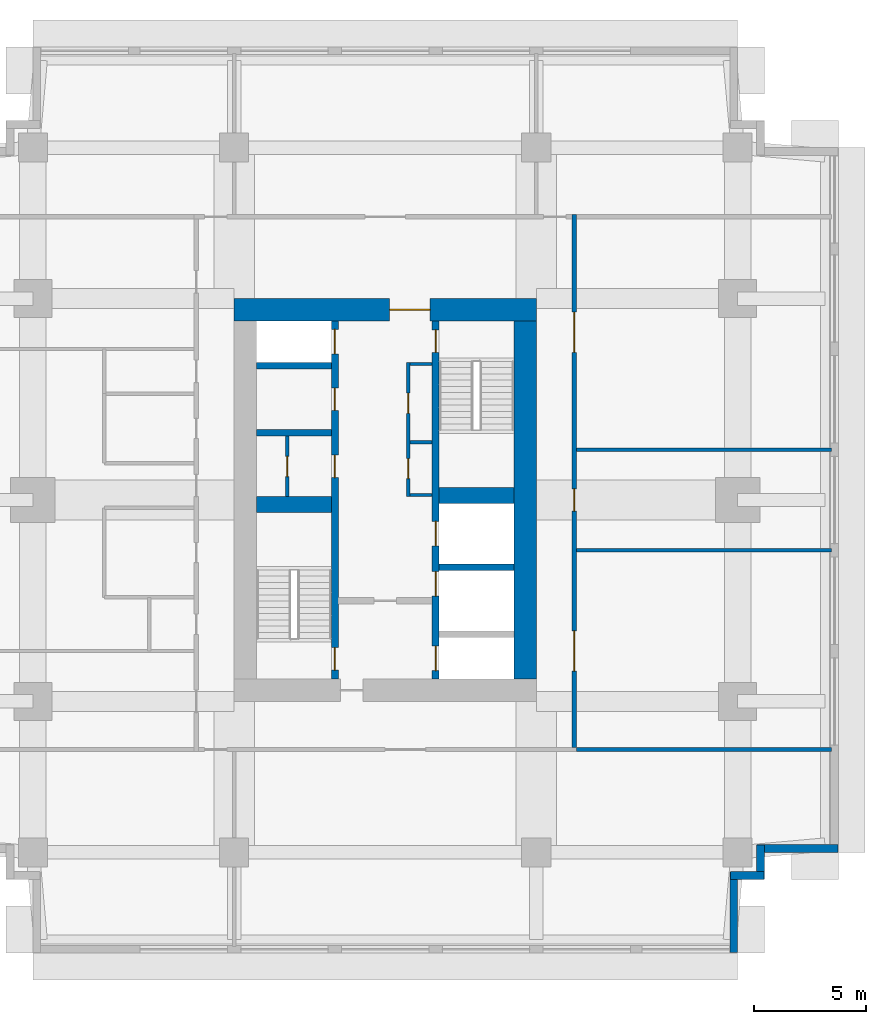
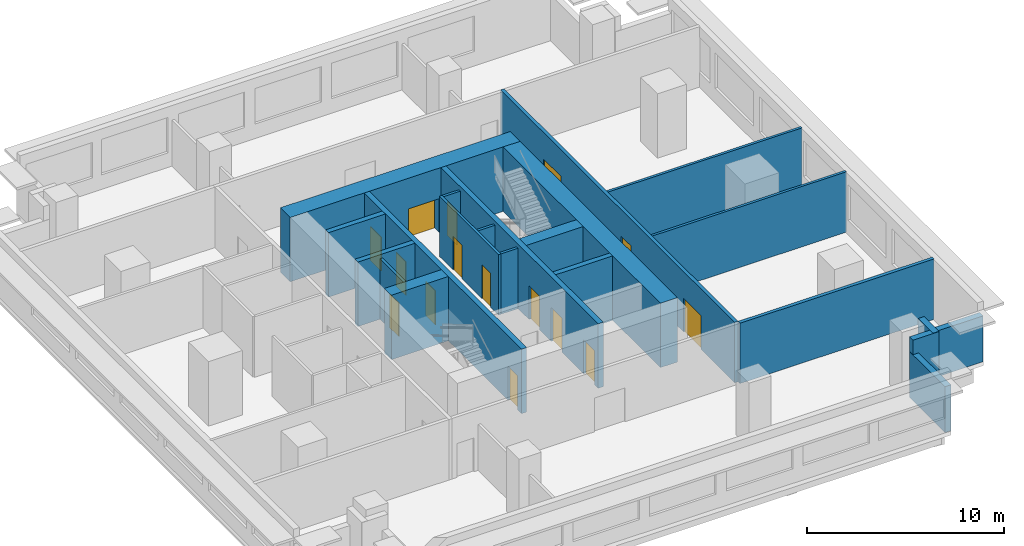
# One storey, part 3 of 5: 22 walls, 15 doors, 15 openings.
"""IFC4 building model written with IfcOpenShell, lengths in metres."""

from ifc_helpers import new_model, si_unit, direction, frame, frame_2d, origin, place, context, subcontext, project, spatial, rectangle, extrude, material, layer, layer_set, type_object, element, fill, save


model = new_model("IFC4")

# Units and contexts
model_context = context("Model", 3, precision=1e-05, world=origin(), true_north=direction((0.0, 1.0)))
body_context = subcontext(model_context, "Body", "Model", "MODEL_VIEW")
ifc_project = project(units=[si_unit("LENGTHUNIT", "METRE"), si_unit("AREAUNIT", "SQUARE_METRE"), si_unit("VOLUMEUNIT", "CUBIC_METRE"), si_unit("PLANEANGLEUNIT", "RADIAN"), si_unit("MASSUNIT", "GRAM", prefix="KILO")], contexts=[model_context])

# Site, building, storey
site_placement = place(None, origin())
site = spatial("IfcSite", under=ifc_project, at=site_placement, CompositionType="ELEMENT")
building_placement = place(site_placement, origin())
building = spatial("IfcBuilding", under=site, at=building_placement, Name="Namib Vertical Campus", CompositionType="ELEMENT")
storey_placement = place(building_placement, frame((0.0, 0.0, 277.0)))
storey = spatial("IfcBuildingStorey", under=building, at=storey_placement, Name="L65", CompositionType="ELEMENT", Elevation=277.0)

# Wall, openings, doors
ifc_material_1 = material(Name="Concrete C60/75", Category="concrete")
ifc_layer_1 = layer(ifc_material_1, 0.300048828125)
ifc_layer_set_1 = layer_set([ifc_layer_1], Name="Concrete C60/75")
wall_type_1 = type_object("IfcWallType", Name="Core inner wall 300", PredefinedType="SHEAR", material=ifc_layer_set_1)
wall_1_placement = place(storey_placement, frame((18.0, 12.25, 0.0), z_axis=(0.0, 0.0, 1.0), x_axis=(0.0, 1.0, 0.0)))
wall_1 = element("IfcWall", 1, at=wall_1_placement, inside=storey, type_object=wall_type_1, Name="Core inner wall A L65 W1", PredefinedType="SHEAR", context=body_context, shape_type="SweptSolid", body=[
    extrude(rectangle(XDim=16.0, YDim=0.300048828125, at=frame_2d((8.0, 0.0))), origin(), (0.0, 0.0, 1.0), 4.0),
])
opening_1_placement = place(wall_1_placement, frame((0.39990234375, 0.0, 0.0)))
opening_1 = element("IfcOpeningElement", 2, at=opening_1_placement, cuts=wall_1, Name="Opening FD1", PredefinedType="OPENING", context=body_context, shape_type="SweptSolid", body=[
    extrude(rectangle(XDim=1.0, YDim=2.10009765625, at=frame_2d((0.5, 1.050048828125))), frame((0.0, 0.159912109375, 0.0), z_axis=(0.0, -1.0, 0.0), x_axis=(1.0, 0.0, 0.0)), (0.0, 0.0, 1.0), 0.320068359375),
])
opening_2_placement = place(wall_1_placement, frame((14.52490234375, 0.0, 0.0)))
opening_2 = element("IfcOpeningElement", 3, at=opening_2_placement, cuts=wall_1, Name="Opening LD1", PredefinedType="OPENING", context=body_context, shape_type="SweptSolid", body=[
    extrude(rectangle(XDim=1.10009765625, YDim=2.10009765625, at=frame_2d((0.550048828125, 1.050048828125))), frame((0.0, 0.159912109375, 0.0), z_axis=(0.0, -1.0, 0.0), x_axis=(1.0, 0.0, 0.0)), (0.0, 0.0, 1.0), 0.320068359375),
])
opening_3_placement = place(wall_1_placement, frame((9.0, 0.0, 0.0)))
opening_3 = element("IfcOpeningElement", 4, at=opening_3_placement, cuts=wall_1, Name="Opening D1", PredefinedType="OPENING", context=body_context, shape_type="SweptSolid", body=[
    extrude(rectangle(XDim=1.0, YDim=2.10009765625, at=frame_2d((0.5, 1.050048828125))), frame((0.0, 0.159912109375, 0.0), z_axis=(0.0, -1.0, 0.0), x_axis=(1.0, 0.0, 0.0)), (0.0, 0.0, 1.0), 0.320068359375),
])
opening_4_placement = place(wall_1_placement, frame((12.0, 0.0, 0.0)))
opening_4 = element("IfcOpeningElement", 5, at=opening_4_placement, cuts=wall_1, Name="Opening D1", PredefinedType="OPENING", context=body_context, shape_type="SweptSolid", body=[
    extrude(rectangle(XDim=1.0, YDim=2.10009765625, at=frame_2d((0.5, 1.050048828125))), frame((0.0, 0.159912109375, 0.0), z_axis=(0.0, -1.0, 0.0), x_axis=(1.0, 0.0, 0.0)), (0.0, 0.0, 1.0), 0.320068359375),
])
ifc_material_2 = material(Name="Timber door leaf", Category="wood")
door_type_1 = type_object("IfcDoorType", Name="Door single 1000x2100", OperationType="SINGLE_SWING_LEFT", PredefinedType="DOOR", material=ifc_material_2)
door_1_placement = place(opening_3_placement, origin())
door_1 = element("IfcDoor", 6, at=door_1_placement, inside=storey, type_object=door_type_1, Name="Door D1 Records store A L65 P1", OperationType="SINGLE_SWING_LEFT", OverallHeight=2.10009765625, OverallWidth=1.0, PredefinedType="DOOR", context=body_context, shape_type="SweptSolid", body=[
    extrude(rectangle(XDim=1.0, YDim=2.10009765625, at=frame_2d((0.5, 1.050048828125))), frame((0.0, 0.02490234375, 0.0), z_axis=(0.0, -1.0, 0.0), x_axis=(1.0, 0.0, 0.0)), (0.0, 0.0, 1.0), 0.050048828125),
])
fill(opening_3, door_1)
door_2_placement = place(opening_4_placement, origin())
door_2 = element("IfcDoor", 7, at=door_2_placement, inside=storey, type_object=door_type_1, Name="Door D1 Staff pantry A L65 P2", OperationType="SINGLE_SWING_LEFT", OverallHeight=2.10009765625, OverallWidth=1.0, PredefinedType="DOOR", context=body_context, shape_type="SweptSolid", body=[
    extrude(rectangle(XDim=1.0, YDim=2.10009765625, at=frame_2d((0.5, 1.050048828125))), frame((0.0, 0.02490234375, 0.0), z_axis=(0.0, -1.0, 0.0), x_axis=(1.0, 0.0, 0.0)), (0.0, 0.0, 1.0), 0.050048828125),
])
fill(opening_4, door_2)
ifc_material_3 = material(Name="Steel fire door", Category="steel")
door_type_2 = type_object("IfcDoorType", Name="Fire door 1000x2100", OperationType="SINGLE_SWING_RIGHT", PredefinedType="DOOR", material=ifc_material_3)
door_3_placement = place(opening_1_placement, origin())
door_3 = element("IfcDoor", 8, at=door_3_placement, inside=storey, type_object=door_type_2, Name="Stair door FD1 A L65 S1", OperationType="SINGLE_SWING_LEFT", OverallHeight=2.10009765625, OverallWidth=1.0, PredefinedType="DOOR", context=body_context, shape_type="SweptSolid", body=[
    extrude(rectangle(XDim=1.0, YDim=2.10009765625, at=frame_2d((0.5, 1.050048828125))), frame((0.0, 0.02490234375, 0.0), z_axis=(0.0, -1.0, 0.0), x_axis=(1.0, 0.0, 0.0)), (0.0, 0.0, 1.0), 0.050048828125),
])
fill(opening_1, door_3)
ifc_material_4 = material(Name="Stainless steel lift door", Category="steel")
door_type_3 = type_object("IfcDoorType", Name="Lift landing door 1100x2100", OperationType="DOUBLE_DOOR_SLIDING", PredefinedType="DOOR", material=ifc_material_4)
door_4_placement = place(opening_2_placement, origin())
door_4 = element("IfcDoor", 9, at=door_4_placement, inside=storey, type_object=door_type_3, Name="Lift landing door LD1 A-P3 L65", OperationType="DOUBLE_DOOR_SLIDING", OverallHeight=2.10009765625, OverallWidth=1.10009765625, PredefinedType="DOOR", context=body_context, shape_type="SweptSolid", body=[
    extrude(rectangle(XDim=1.10009765625, YDim=2.10009765625, at=frame_2d((0.550048828125, 1.050048828125))), frame((0.0, 0.02490234375, 0.0), z_axis=(0.0, -1.0, 0.0), x_axis=(1.0, 0.0, 0.0)), (0.0, 0.0, 1.0), 0.050048828125),
])
fill(opening_2, door_4)

wall_2_placement = place(storey_placement, frame((22.5, 12.25, 0.0), z_axis=(0.0, 0.0, 1.0), x_axis=(0.0, 1.0, 0.0)))
wall_2 = element("IfcWall", 10, at=wall_2_placement, inside=storey, type_object=wall_type_1, Name="Core inner wall A L65 W2", PredefinedType="SHEAR", context=body_context, shape_type="SweptSolid", body=[
    extrude(rectangle(XDim=16.0, YDim=0.300048828125, at=frame_2d((8.0, 0.0))), origin(), (0.0, 0.0, 1.0), 4.0),
])
opening_5_placement = place(wall_2_placement, frame((14.60009765625, 0.0, 0.0)))
opening_5 = element("IfcOpeningElement", 11, at=opening_5_placement, cuts=wall_2, Name="Opening FD1", PredefinedType="OPENING", context=body_context, shape_type="SweptSolid", body=[
    extrude(rectangle(XDim=1.0, YDim=2.10009765625, at=frame_2d((0.5, 1.050048828125))), frame((0.0, 0.159912109375, 0.0), z_axis=(0.0, -1.0, 0.0), x_axis=(1.0, 0.0, 0.0)), (0.0, 0.0, 1.0), 0.320068359375),
])
opening_6_placement = place(wall_2_placement, frame((0.375, 0.0, 0.0)))
opening_6 = element("IfcOpeningElement", 12, at=opening_6_placement, cuts=wall_2, Name="Opening LD1", PredefinedType="OPENING", context=body_context, shape_type="SweptSolid", body=[
    extrude(rectangle(XDim=1.10009765625, YDim=2.10009765625, at=frame_2d((0.550048828125, 1.050048828125))), frame((0.0, 0.159912109375, 0.0), z_axis=(0.0, -1.0, 0.0), x_axis=(1.0, 0.0, 0.0)), (0.0, 0.0, 1.0), 0.320068359375),
])
opening_7_placement = place(wall_2_placement, frame((3.699951171875, 0.0, 0.0)))
opening_7 = element("IfcOpeningElement", 13, at=opening_7_placement, cuts=wall_2, Name="Opening LD1", PredefinedType="OPENING", context=body_context, shape_type="SweptSolid", body=[
    extrude(rectangle(XDim=1.10009765625, YDim=2.10009765625, at=frame_2d((0.550048828125, 1.050048828125))), frame((0.0, 0.159912109375, 0.0), z_axis=(0.0, -1.0, 0.0), x_axis=(1.0, 0.0, 0.0)), (0.0, 0.0, 1.0), 0.320068359375),
])
opening_8_placement = place(wall_2_placement, frame((5.949951171875, 0.0, 0.0)))
opening_8 = element("IfcOpeningElement", 14, at=opening_8_placement, cuts=wall_2, Name="Opening LD1", PredefinedType="OPENING", context=body_context, shape_type="SweptSolid", body=[
    extrude(rectangle(XDim=1.10009765625, YDim=2.10009765625, at=frame_2d((0.550048828125, 1.050048828125))), frame((0.0, 0.159912109375, 0.0), z_axis=(0.0, -1.0, 0.0), x_axis=(1.0, 0.0, 0.0)), (0.0, 0.0, 1.0), 0.320068359375),
])
door_5_placement = place(opening_5_placement, frame((1.0, 0.0, 0.0), z_axis=(0.0, 0.0, 1.0), x_axis=(-1.0, 0.0, 0.0)))
door_5 = element("IfcDoor", 15, at=door_5_placement, inside=storey, type_object=door_type_2, Name="Stair door FD1 A L65 S2", OperationType="SINGLE_SWING_LEFT", OverallHeight=2.10009765625, OverallWidth=1.0, PredefinedType="DOOR", context=body_context, shape_type="SweptSolid", body=[
    extrude(rectangle(XDim=1.0, YDim=2.10009765625, at=frame_2d((0.5, 1.050048828125))), frame((0.0, 0.02490234375, 0.0), z_axis=(0.0, -1.0, 0.0), x_axis=(1.0, 0.0, 0.0)), (0.0, 0.0, 1.0), 0.050048828125),
])
fill(opening_5, door_5)
door_6_placement = place(opening_6_placement, origin())
door_6 = element("IfcDoor", 16, at=door_6_placement, inside=storey, type_object=door_type_3, Name="Lift landing door LD1 A-FL1 L65", OperationType="DOUBLE_DOOR_SLIDING", OverallHeight=2.10009765625, OverallWidth=1.10009765625, PredefinedType="DOOR", context=body_context, shape_type="SweptSolid", body=[
    extrude(rectangle(XDim=1.10009765625, YDim=2.10009765625, at=frame_2d((0.550048828125, 1.050048828125))), frame((0.0, 0.02490234375, 0.0), z_axis=(0.0, -1.0, 0.0), x_axis=(1.0, 0.0, 0.0)), (0.0, 0.0, 1.0), 0.050048828125),
])
fill(opening_6, door_6)
door_7_placement = place(opening_7_placement, origin())
door_7 = element("IfcDoor", 17, at=door_7_placement, inside=storey, type_object=door_type_3, Name="Lift landing door LD1 A-P4 L65", OperationType="DOUBLE_DOOR_SLIDING", OverallHeight=2.10009765625, OverallWidth=1.10009765625, PredefinedType="DOOR", context=body_context, shape_type="SweptSolid", body=[
    extrude(rectangle(XDim=1.10009765625, YDim=2.10009765625, at=frame_2d((0.550048828125, 1.050048828125))), frame((0.0, 0.02490234375, 0.0), z_axis=(0.0, -1.0, 0.0), x_axis=(1.0, 0.0, 0.0)), (0.0, 0.0, 1.0), 0.050048828125),
])
fill(opening_7, door_7)
door_8_placement = place(opening_8_placement, origin())
door_8 = element("IfcDoor", 18, at=door_8_placement, inside=storey, type_object=door_type_3, Name="Lift landing door LD1 A-P5 L65", OperationType="DOUBLE_DOOR_SLIDING", OverallHeight=2.10009765625, OverallWidth=1.10009765625, PredefinedType="DOOR", context=body_context, shape_type="SweptSolid", body=[
    extrude(rectangle(XDim=1.10009765625, YDim=2.10009765625, at=frame_2d((0.550048828125, 1.050048828125))), frame((0.0, 0.02490234375, 0.0), z_axis=(0.0, -1.0, 0.0), x_axis=(1.0, 0.0, 0.0)), (0.0, 0.0, 1.0), 0.050048828125),
])
fill(opening_8, door_8)

# Walls
for number, where, z_axis, x_axis, name in (
    (19, (22.64990234375, 17.25, 0.0), (0.0, 0.0, 1.0), (1.0, 0.0, 0.0), "Core inner wall A L65 W6"),
    (20, (14.5, 23.25, 0.0), (0.0, 0.0, 1.0), (1.0, 0.0, 0.0), "Core inner wall A L65 W8"),
    (21, (14.5, 26.25, 0.0), (0.0, 0.0, 1.0), (1.0, 0.0, 0.0), "Core inner wall A L65 W9"),
):
    element("IfcWall", number, at=place(storey_placement, frame(where, z_axis=z_axis, x_axis=x_axis)), inside=storey, type_object=wall_type_1, Name=name, PredefinedType="SHEAR", context=body_context, shape_type="SweptSolid", body=[
        extrude(rectangle(XDim=3.35009765625, YDim=0.300048828125, at=frame_2d((1.675048828125, 0.0))), origin(), (0.0, 0.0, 1.0), 4.0),
    ])
ifc_material_5 = material(Name="Concrete C60/75", Category="concrete")
ifc_layer_2 = layer(ifc_material_5, 0.699951171875)
ifc_layer_set_2 = layer_set([ifc_layer_2], Name="Concrete C60/75")
wall_type_2 = type_object("IfcWallType", Name="Core shear wall 700", PredefinedType="SHEAR", material=ifc_layer_set_2)
for number, where, z_axis, x_axis, name in (
    (22, (14.5, 20.050048828125, 0.0), (0.0, 0.0, 1.0), (1.0, 0.0, 0.0), "Core shear wall A L65 W3"),
    (23, (22.64990234375, 20.449951171875, 0.0), (0.0, 0.0, 1.0), (1.0, 0.0, 0.0), "Core shear wall A L65 W7"),
):
    element("IfcWall", number, at=place(storey_placement, frame(where, z_axis=z_axis, x_axis=x_axis)), inside=storey, type_object=wall_type_2, Name=name, PredefinedType="SHEAR", context=body_context, shape_type="SweptSolid", body=[
        extrude(rectangle(XDim=3.35009765625, YDim=0.699951171875, at=frame_2d((1.675048828125, 0.0))), origin(), (0.0, 0.0, 1.0), 4.0),
    ])
ifc_material_6 = material(Name="Concrete C60/75", Category="concrete")
ifc_layer_3 = layer(ifc_material_6, 1.0)
ifc_layer_set_3 = layer_set([ifc_layer_3], Name="Concrete C60/75")
wall_type_3 = type_object("IfcWallType", Name="Core wall 1000", PredefinedType="SHEAR", material=ifc_layer_set_3)
wall_3_placement = place(storey_placement, frame((26.5, 12.25, 0.0), z_axis=(0.0, 0.0, 1.0), x_axis=(0.0, 1.0, 0.0)))
element("IfcWall", 24, at=wall_3_placement, inside=storey, type_object=wall_type_3, Name="Core wall A L65 2", PredefinedType="SHEAR", context=body_context, shape_type="SweptSolid", body=[
    extrude(rectangle(XDim=16.0, YDim=1.0, at=frame_2d((8.0, 0.0))), origin(), (0.0, 0.0, 1.0), 4.0),
])

# Wall, opening, door
wall_4_placement = place(storey_placement, frame((27.0, 28.75, 0.0), z_axis=(0.0, 0.0, 1.0), x_axis=(-1.0, 0.0, 0.0)))
wall_4 = element("IfcWall", 25, at=wall_4_placement, inside=storey, type_object=wall_type_3, Name="Core wall A L65 3", PredefinedType="SHEAR", context=body_context, shape_type="SweptSolid", body=[
    extrude(rectangle(XDim=13.5, YDim=1.0, at=frame_2d((6.75, 0.0))), origin(), (0.0, 0.0, 1.0), 4.0),
])
opening_9_placement = place(wall_4_placement, frame((4.75, 0.0, 0.0)))
opening_9 = element("IfcOpeningElement", 26, at=opening_9_placement, cuts=wall_4, Name="Opening FD2", PredefinedType="OPENING", context=body_context, shape_type="SweptSolid", body=[
    extrude(rectangle(XDim=1.800048828125, YDim=2.10009765625, at=frame_2d((0.89990234375, 1.050048828125))), frame((0.0, 0.510009765625, 0.0), z_axis=(0.0, -1.0, 0.0), x_axis=(1.0, 0.0, 0.0)), (0.0, 0.0, 1.0), 1.02001953125),
])
ifc_material_7 = material(Name="Steel fire door", Category="steel")
door_type_4 = type_object("IfcDoorType", Name="Fire door double 1800x2100", OperationType="DOUBLE_DOOR_SINGLE_SWING", PredefinedType="DOOR", material=ifc_material_7)
door_9_placement = place(opening_9_placement, origin())
door_9 = element("IfcDoor", 27, at=door_9_placement, inside=storey, type_object=door_type_4, Name="Lift lobby door FD2 A L65", OperationType="DOUBLE_DOOR_SINGLE_SWING", OverallHeight=2.10009765625, OverallWidth=1.800048828125, PredefinedType="DOOR", context=body_context, shape_type="SweptSolid", body=[
    extrude(rectangle(XDim=1.800048828125, YDim=2.10009765625, at=frame_2d((0.89990234375, 1.050048828125))), frame((0.0, 0.02490234375, 0.0), z_axis=(0.0, -1.0, 0.0), x_axis=(1.0, 0.0, 0.0)), (0.0, 0.0, 1.0), 0.050048828125),
])
fill(opening_9, door_9)

# Wall, openings, doors
ifc_material_8 = material(Name="Concrete masonry", Category="masonry")
ifc_layer_4 = layer(ifc_material_8, 0.199951171875)
ifc_layer_set_4 = layer_set([ifc_layer_4], Name="Corridor wall 200")
wall_type_4 = type_object("IfcWallType", Name="Corridor wall 200", PredefinedType="SOLIDWALL", material=ifc_layer_set_4)
wall_5_placement = place(storey_placement, frame((28.699951171875, 9.199951171875, 0.0), z_axis=(0.0, 0.0, 1.0), x_axis=(0.0, 1.0, 0.0)))
wall_5 = element("IfcWall", 28, at=wall_5_placement, inside=storey, type_object=wall_type_4, Name="Corridor wall A L65 CE", PredefinedType="SOLIDWALL", context=body_context, shape_type="SweptSolid", body=[
    extrude(rectangle(XDim=23.800048828125, YDim=0.199951171875, at=frame_2d((11.89990234375, 0.0))), origin(), (0.0, 0.0, 1.0), 3.75),
])
opening_10_placement = place(wall_5_placement, frame((3.39990234375, 0.0, 0.0)))
opening_10 = element("IfcOpeningElement", 29, at=opening_10_placement, cuts=wall_5, Name="Opening CD2", PredefinedType="OPENING", context=body_context, shape_type="SweptSolid", body=[
    extrude(rectangle(XDim=1.800048828125, YDim=2.10009765625, at=frame_2d((0.89990234375, 1.050048828125))), frame((0.0, 0.10986328125, 0.0), z_axis=(0.0, -1.0, 0.0), x_axis=(1.0, 0.0, 0.0)), (0.0, 0.0, 1.0), 0.219970703125),
])
opening_11_placement = place(wall_5_placement, frame((10.550048828125, 0.0, 0.0)))
opening_11 = element("IfcOpeningElement", 30, at=opening_11_placement, cuts=wall_5, Name="Opening CD1", PredefinedType="OPENING", context=body_context, shape_type="SweptSolid", body=[
    extrude(rectangle(XDim=1.0, YDim=2.10009765625, at=frame_2d((0.5, 1.050048828125))), frame((0.0, 0.10986328125, 0.0), z_axis=(0.0, -1.0, 0.0), x_axis=(1.0, 0.0, 0.0)), (0.0, 0.0, 1.0), 0.219970703125),
])
opening_12_placement = place(wall_5_placement, frame((17.64990234375, 0.0, 0.0)))
opening_12 = element("IfcOpeningElement", 31, at=opening_12_placement, cuts=wall_5, Name="Opening CD2", PredefinedType="OPENING", context=body_context, shape_type="SweptSolid", body=[
    extrude(rectangle(XDim=1.800048828125, YDim=2.10009765625, at=frame_2d((0.89990234375, 1.050048828125))), frame((0.0, 0.10986328125, 0.0), z_axis=(0.0, -1.0, 0.0), x_axis=(1.0, 0.0, 0.0)), (0.0, 0.0, 1.0), 0.219970703125),
])
ifc_material_9 = material(Name="Timber fire door leaf", Category="wood")
door_type_5 = type_object("IfcDoorType", Name="Corridor door 1000x2100 20 min", OperationType="SINGLE_SWING_LEFT", PredefinedType="DOOR", material=ifc_material_9)
door_10_placement = place(opening_11_placement, frame((1.0, 0.0, 0.0), z_axis=(0.0, 0.0, 1.0), x_axis=(-1.0, 0.0, 0.0)))
door_10 = element("IfcDoor", 32, at=door_10_placement, inside=storey, type_object=door_type_5, Name="Door CD1 A65-04", OperationType="SINGLE_SWING_RIGHT", OverallHeight=2.10009765625, OverallWidth=1.0, PredefinedType="DOOR", context=body_context, shape_type="SweptSolid", body=[
    extrude(rectangle(XDim=1.0, YDim=2.10009765625, at=frame_2d((0.5, 1.050048828125))), frame((0.0, 0.02490234375, 0.0), z_axis=(0.0, -1.0, 0.0), x_axis=(1.0, 0.0, 0.0)), (0.0, 0.0, 1.0), 0.050048828125),
])
fill(opening_11, door_10)
ifc_material_10 = material(Name="Timber fire door leaf", Category="wood")
door_type_6 = type_object("IfcDoorType", Name="Corridor door double 1800x2100 20 min", OperationType="DOUBLE_DOOR_SINGLE_SWING", PredefinedType="DOOR", material=ifc_material_10)
door_11_placement = place(opening_10_placement, frame((1.800048828125, 0.0, 0.0), z_axis=(0.0, 0.0, 1.0), x_axis=(-1.0, 0.0, 0.0)))
door_11 = element("IfcDoor", 33, at=door_11_placement, inside=storey, type_object=door_type_6, Name="Door CD2 A65-03", OperationType="DOUBLE_DOOR_SINGLE_SWING", OverallHeight=2.10009765625, OverallWidth=1.800048828125, PredefinedType="DOOR", context=body_context, shape_type="SweptSolid", body=[
    extrude(rectangle(XDim=1.800048828125, YDim=2.10009765625, at=frame_2d((0.89990234375, 1.050048828125))), frame((0.0, 0.02490234375, 0.0), z_axis=(0.0, -1.0, 0.0), x_axis=(1.0, 0.0, 0.0)), (0.0, 0.0, 1.0), 0.050048828125),
])
fill(opening_10, door_11)
door_12_placement = place(opening_12_placement, frame((1.800048828125, 0.0, 0.0), z_axis=(0.0, 0.0, 1.0), x_axis=(-1.0, 0.0, 0.0)))
door_12 = element("IfcDoor", 34, at=door_12_placement, inside=storey, type_object=door_type_6, Name="Door CD2 A65-05", OperationType="DOUBLE_DOOR_SINGLE_SWING", OverallHeight=2.10009765625, OverallWidth=1.800048828125, PredefinedType="DOOR", context=body_context, shape_type="SweptSolid", body=[
    extrude(rectangle(XDim=1.800048828125, YDim=2.10009765625, at=frame_2d((0.89990234375, 1.050048828125))), frame((0.0, 0.02490234375, 0.0), z_axis=(0.0, -1.0, 0.0), x_axis=(1.0, 0.0, 0.0)), (0.0, 0.0, 1.0), 0.050048828125),
])
fill(opening_12, door_12)

# Walls
wall_6_placement = place(storey_placement, frame((28.800048828125, 9.10009765625, 0.0), z_axis=(0.0, 0.0, 1.0), x_axis=(1.0, 0.0, 0.0)))
element("IfcWall", 35, at=wall_6_placement, inside=storey, type_object=wall_type_4, Name="Partition A L65 BSE", PredefinedType="SOLIDWALL", context=body_context, shape_type="SweptSolid", body=[
    extrude(rectangle(XDim=11.39990234375, YDim=0.199951171875, at=frame_2d((5.699951171875, 0.0))), origin(), (0.0, 0.0, 1.0), 3.75),
])
ifc_material_11 = material(Name="Concrete C40/50", Category="concrete")
ifc_layer_5 = layer(ifc_material_11, 0.35009765625)
ifc_layer_set_5 = layer_set([ifc_layer_5], Name="Concrete C40/50")
wall_type_5 = type_object("IfcWallType", Name="External wall 350 bush-hammered concrete", PredefinedType="STANDARD", material=ifc_layer_set_5)
wall_7_placement = place(storey_placement, frame((35.824951171875, 0.02001953125, 0.0), z_axis=(0.0, 0.0, 1.0), x_axis=(0.0, 1.0, 0.0)))
element("IfcWall", 36, at=wall_7_placement, inside=storey, type_object=wall_type_5, Name="External wall L65 F02", PredefinedType="STANDARD", context=body_context, shape_type="SweptSolid", body=[
    extrude(rectangle(XDim=3.60986328125, YDim=0.35009765625, at=frame_2d((1.804931640625, 0.0))), origin(), (0.0, 0.0, 1.0), 2.85009765625),
])
for number, where, z_axis, x_axis, name in (
    (37, (35.669921875, 3.47509765625, 0.0), (0.0, 0.0, 1.0), (1.0, 0.0, 0.0), "External wall L65 F03"),
    (38, (37.02490234375, 3.320068359375, 0.0), (0.0, 0.0, 1.0), (0.0, 1.0, 0.0), "External wall L65 F04"),
):
    element("IfcWall", number, at=place(storey_placement, frame(where, z_axis=z_axis, x_axis=x_axis)), inside=storey, type_object=wall_type_5, Name=name, PredefinedType="STANDARD", context=body_context, shape_type="SweptSolid", body=[
        extrude(rectangle(XDim=1.510009765625, YDim=0.35009765625, at=frame_2d((0.7548828125, 0.0))), origin(), (0.0, 0.0, 1.0), 3.75),
    ])
wall_8_placement = place(storey_placement, frame((36.8701171875, 4.675048828125, 0.0), z_axis=(0.0, 0.0, 1.0), x_axis=(1.0, 0.0, 0.0)))
element("IfcWall", 39, at=wall_8_placement, inside=storey, type_object=wall_type_5, Name="External wall L65 F05", PredefinedType="STANDARD", context=body_context, shape_type="SweptSolid", body=[
    extrude(rectangle(XDim=3.60986328125, YDim=0.35009765625, at=frame_2d((1.804931640625, 0.0))), origin(), (0.0, 0.0, 1.0), 2.85009765625),
])

# Wall, openings, doors
ifc_material_12 = material(Name="Gypsum board on steel studs", Category="steel")
ifc_layer_6 = layer(ifc_material_12, 0.14990234375)
ifc_layer_set_6 = layer_set([ifc_layer_6], Name="Gypsum board on steel studs")
wall_type_6 = type_object("IfcWallType", Name="Partition 150", PredefinedType="PARTITIONING", material=ifc_layer_set_6)
wall_9_placement = place(storey_placement, frame((21.27490234375, 20.39990234375, 0.0), z_axis=(0.0, 0.0, 1.0), x_axis=(0.0, 1.0, 0.0)))
wall_9 = element("IfcWall", 40, at=wall_9_placement, inside=storey, type_object=wall_type_6, Name="Partition A L65 Cleaners' store and Tea point front", PredefinedType="PARTITIONING", context=body_context, shape_type="SweptSolid", body=[
    extrude(rectangle(XDim=6.0, YDim=0.14990234375, at=frame_2d((3.0, 0.0))), origin(), (0.0, 0.0, 1.0), 3.75),
])
opening_13_placement = place(wall_9_placement, frame((0.800048828125, 0.0, 0.0)))
opening_13 = element("IfcOpeningElement", 41, at=opening_13_placement, cuts=wall_9, Name="Opening D3", PredefinedType="OPENING", context=body_context, shape_type="SweptSolid", body=[
    extrude(rectangle(XDim=0.89990234375, YDim=2.10009765625, at=frame_2d((0.449951171875, 1.050048828125))), frame((0.0, 0.0849609375, 0.0), z_axis=(0.0, -1.0, 0.0), x_axis=(1.0, 0.0, 0.0)), (0.0, 0.0, 1.0), 0.169921875),
])
opening_14_placement = place(wall_9_placement, frame((3.72509765625, 0.0, 0.0)))
opening_14 = element("IfcOpeningElement", 42, at=opening_14_placement, cuts=wall_9, Name="Opening D3", PredefinedType="OPENING", context=body_context, shape_type="SweptSolid", body=[
    extrude(rectangle(XDim=0.89990234375, YDim=2.10009765625, at=frame_2d((0.449951171875, 1.050048828125))), frame((0.0, 0.0849609375, 0.0), z_axis=(0.0, -1.0, 0.0), x_axis=(1.0, 0.0, 0.0)), (0.0, 0.0, 1.0), 0.169921875),
])
ifc_material_13 = material(Name="Timber door leaf", Category="wood")
door_type_7 = type_object("IfcDoorType", Name="Toilet door 900x2100", OperationType="SINGLE_SWING_LEFT", PredefinedType="DOOR", material=ifc_material_13)
door_13_placement = place(opening_13_placement, frame((0.89990234375, 0.0, 0.0), z_axis=(0.0, 0.0, 1.0), x_axis=(-1.0, 0.0, 0.0)))
door_13 = element("IfcDoor", 43, at=door_13_placement, inside=storey, type_object=door_type_7, Name="Door D3 Cleaners' store A L65", OperationType="SINGLE_SWING_RIGHT", OverallHeight=2.10009765625, OverallWidth=0.89990234375, PredefinedType="DOOR", context=body_context, shape_type="SweptSolid", body=[
    extrude(rectangle(XDim=0.89990234375, YDim=2.10009765625, at=frame_2d((0.449951171875, 1.050048828125))), frame((0.0, 0.02490234375, 0.0), z_axis=(0.0, -1.0, 0.0), x_axis=(1.0, 0.0, 0.0)), (0.0, 0.0, 1.0), 0.050048828125),
])
fill(opening_13, door_13)
door_14_placement = place(opening_14_placement, frame((0.89990234375, 0.0, 0.0), z_axis=(0.0, 0.0, 1.0), x_axis=(-1.0, 0.0, 0.0)))
door_14 = element("IfcDoor", 44, at=door_14_placement, inside=storey, type_object=door_type_7, Name="Door D3 Tea point A L65", OperationType="SINGLE_SWING_RIGHT", OverallHeight=2.10009765625, OverallWidth=0.89990234375, PredefinedType="DOOR", context=body_context, shape_type="SweptSolid", body=[
    extrude(rectangle(XDim=0.89990234375, YDim=2.10009765625, at=frame_2d((0.449951171875, 1.050048828125))), frame((0.0, 0.02490234375, 0.0), z_axis=(0.0, -1.0, 0.0), x_axis=(1.0, 0.0, 0.0)), (0.0, 0.0, 1.0), 0.050048828125),
])
fill(opening_14, door_14)

# Walls
for number, where, z_axis, x_axis, name in (
    (45, (21.35009765625, 20.47509765625, 0.0), (0.0, 0.0, 1.0), (1.0, 0.0, 0.0), "Partition A L65 Cleaners' store and Tea point end 1"),
    (46, (21.35009765625, 22.824951171875, 0.0), (0.0, 0.0, 1.0), (1.0, 0.0, 0.0), "Partition A L65 Cleaners' store and Tea point division 2"),
    (47, (21.35009765625, 26.324951171875, 0.0), (0.0, 0.0, 1.0), (1.0, 0.0, 0.0), "Partition A L65 Cleaners' store and Tea point end 3"),
):
    element("IfcWall", number, at=place(storey_placement, frame(where, z_axis=z_axis, x_axis=x_axis)), inside=storey, type_object=wall_type_6, Name=name, PredefinedType="PARTITIONING", context=body_context, shape_type="SweptSolid", body=[
        extrude(rectangle(XDim=1.0, YDim=0.14990234375, at=frame_2d((0.5, 0.0))), origin(), (0.0, 0.0, 1.0), 3.75),
    ])

# Wall, opening, door
wall_10_placement = place(storey_placement, frame((15.875, 20.39990234375, 0.0), z_axis=(0.0, 0.0, 1.0), x_axis=(0.0, 1.0, 0.0)))
wall_10 = element("IfcWall", 48, at=wall_10_placement, inside=storey, type_object=wall_type_6, Name="Partition A L65 Records store P1 back", PredefinedType="PARTITIONING", context=body_context, shape_type="SweptSolid", body=[
    extrude(rectangle(XDim=2.7001953125, YDim=0.14990234375, at=frame_2d((1.35009765625, 0.0))), origin(), (0.0, 0.0, 1.0), 3.75),
])
opening_15_placement = place(wall_10_placement, frame((0.89990234375, 0.0, 0.0)))
opening_15 = element("IfcOpeningElement", 49, at=opening_15_placement, cuts=wall_10, Name="Opening D3", PredefinedType="OPENING", context=body_context, shape_type="SweptSolid", body=[
    extrude(rectangle(XDim=0.89990234375, YDim=2.10009765625, at=frame_2d((0.449951171875, 1.050048828125))), frame((0.0, 0.0849609375, 0.0), z_axis=(0.0, -1.0, 0.0), x_axis=(1.0, 0.0, 0.0)), (0.0, 0.0, 1.0), 0.169921875),
])
door_15_placement = place(opening_15_placement, origin())
door_15 = element("IfcDoor", 50, at=door_15_placement, inside=storey, type_object=door_type_7, Name="Door D3 Store A L65 P1", OperationType="SINGLE_SWING_LEFT", OverallHeight=2.10009765625, OverallWidth=0.89990234375, PredefinedType="DOOR", context=body_context, shape_type="SweptSolid", body=[
    extrude(rectangle(XDim=0.89990234375, YDim=2.10009765625, at=frame_2d((0.449951171875, 1.050048828125))), frame((0.0, 0.02490234375, 0.0), z_axis=(0.0, -1.0, 0.0), x_axis=(1.0, 0.0, 0.0)), (0.0, 0.0, 1.0), 0.050048828125),
])
fill(opening_15, door_15)

# Walls
for number, where, z_axis, x_axis, name in (
    (51, (28.800048828125, 18.0, 0.0), (0.0, 0.0, 1.0), (1.0, 0.0, 0.0), "Partition A L65 PE1"),
    (52, (28.800048828125, 22.5, 0.0), (0.0, 0.0, 1.0), (1.0, 0.0, 0.0), "Partition A L65 PE2"),
):
    element("IfcWall", number, at=place(storey_placement, frame(where, z_axis=z_axis, x_axis=x_axis)), inside=storey, type_object=wall_type_6, Name=name, PredefinedType="PARTITIONING", context=body_context, shape_type="SweptSolid", body=[
        extrude(rectangle(XDim=11.39990234375, YDim=0.14990234375, at=frame_2d((5.699951171875, 0.0))), origin(), (0.0, 0.0, 1.0), 3.75),
    ])

save(model, "model.ifc")
